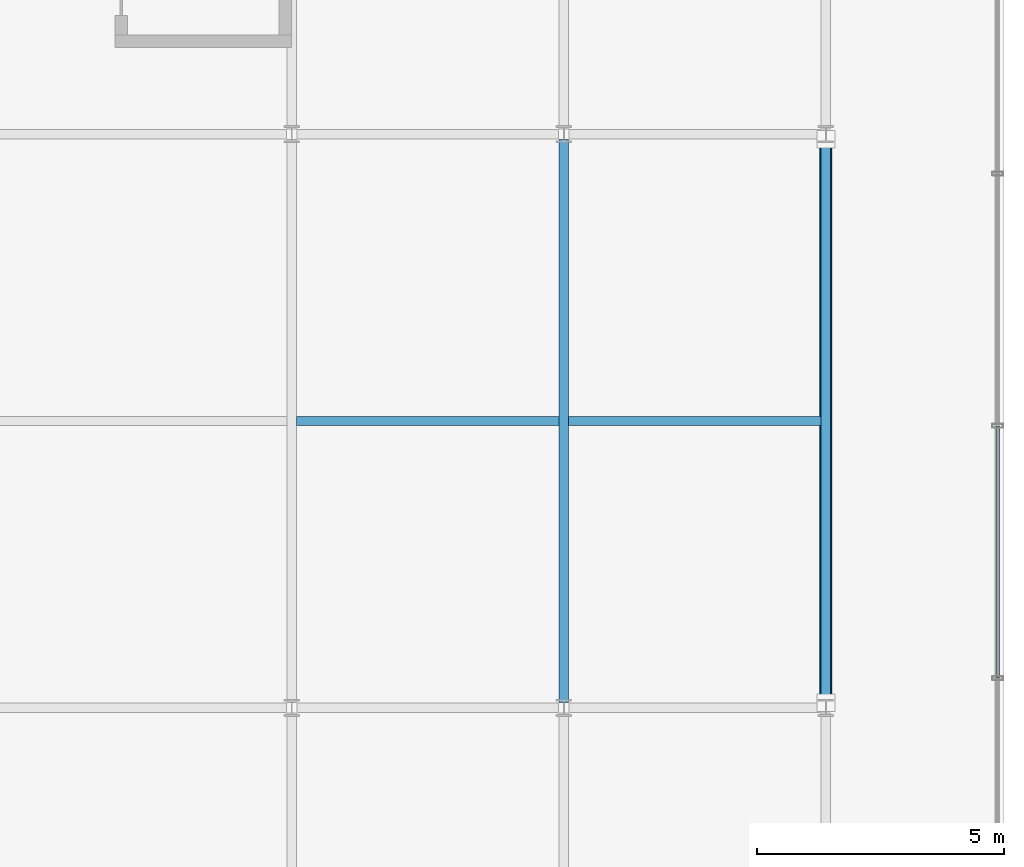
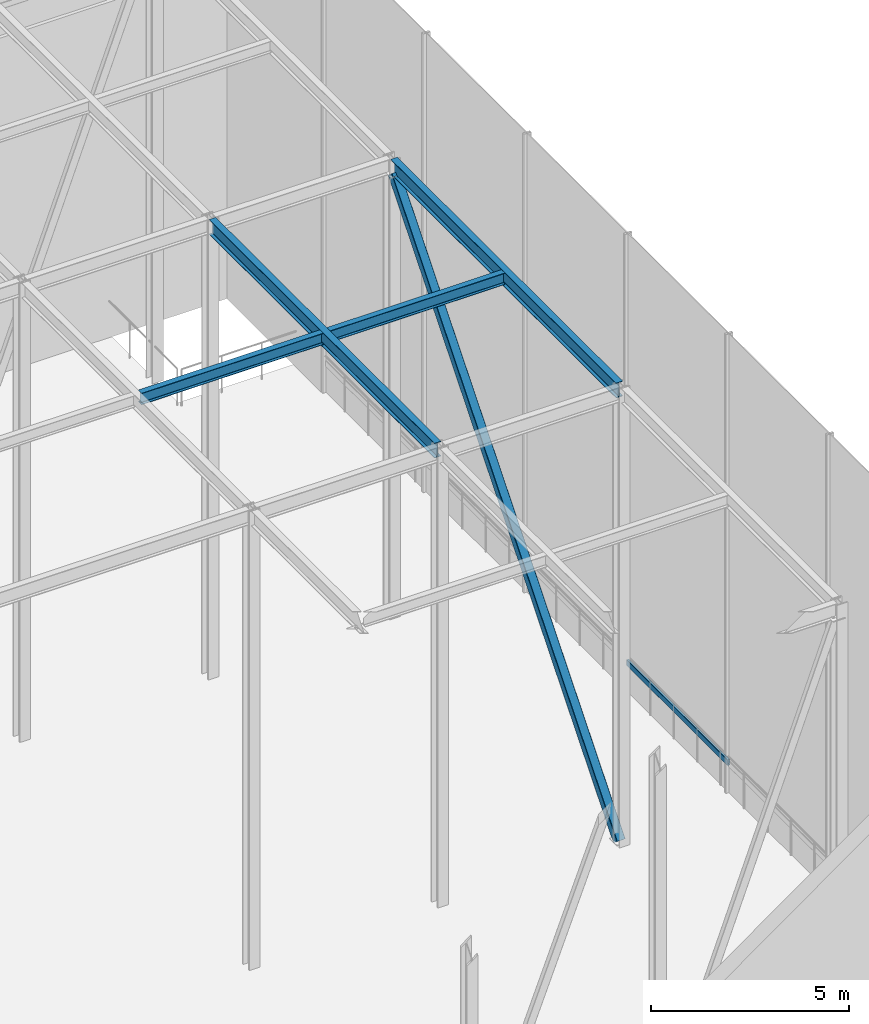
# One storey, part 24 of 42: 4 beams, 2 members, 1 element without a shape of its own.
"""IFC4 building model written with IfcOpenShell, lengths in metres."""

from ifc_helpers import new_model, si_unit, direction, frame, origin, origin_2d, place, context, subcontext, project, spatial, hollow_rectangle, i_section, extrude, material, layer, layer_set, material_profile, profile_set, type_object, element, aggregate, save


model = new_model("IFC4")

# Units and contexts
model_context = context("Model", 3, precision=1e-05, world=origin(), true_north=direction((0.0, 1.0)))
body_context = subcontext(model_context, "Body", "Model", "MODEL_VIEW")
ifc_project = project(units=[si_unit("LENGTHUNIT", "METRE"), si_unit("AREAUNIT", "SQUARE_METRE"), si_unit("VOLUMEUNIT", "CUBIC_METRE"), si_unit("PLANEANGLEUNIT", "RADIAN"), si_unit("MASSUNIT", "GRAM", prefix="KILO")], contexts=[model_context])

# Site, building, storey
site_placement = place(None, origin())
site = spatial("IfcSite", under=ifc_project, at=site_placement, CompositionType="ELEMENT")
building_placement = place(site_placement, origin())
building = spatial("IfcBuilding", under=site, at=building_placement, Name="Korimba Cascade Residences", CompositionType="ELEMENT")
storey_placement = place(building_placement, frame((0.0, 0.0, 207.60009765625)))
storey = spatial("IfcBuildingStorey", under=building, at=storey_placement, Name="L60", CompositionType="ELEMENT", Elevation=207.60009765625)

# Beams
ifc_material_1 = material(Name="Steel S355", Category="steel")
ifc_material_profile_1 = material_profile(ifc_material_1, i_section(OverallWidth=0.172119140625, OverallDepth=0.35791015625, WebThickness=0.008056640625, FlangeThickness=0.012939453125, FilletRadius=0.01025390625, at=origin_2d()), Name="Steel S355")
ifc_profile_set_1 = profile_set([ifc_material_profile_1], Name="Steel S355")
beam_type_1 = type_object("IfcBeamType", Name="BM-STL-UB356", PredefinedType="JOIST", material=ifc_profile_set_1)
beam_1_placement = place(storey_placement, frame((118.199951171875, 12.60009765625, 13.970947265625), z_axis=(1.0, 0.0, 0.0), x_axis=(0.0, 1.0, 0.0)))
element("IfcBeam", 1, at=beam_1_placement, inside=storey, type_object=beam_type_1, Name="L60 Crown Cap Joist E2.2", PredefinedType="JOIST", context=body_context, shape_type="SweptSolid", body=[
    extrude(i_section(OverallWidth=0.172119140625, OverallDepth=0.35791015625, WebThickness=0.008056640625, FlangeThickness=0.012939453125, FilletRadius=0.01025390625, at=origin_2d()), origin(), (0.0, 0.0, 1.0), 5.300048828125),
])
beam_2_placement = place(storey_placement, frame((123.699951171875, 12.60009765625, 13.970947265625), z_axis=(1.0, 0.0, 0.0), x_axis=(0.0, 1.0, 0.0)))
element("IfcBeam", 2, at=beam_2_placement, inside=storey, type_object=beam_type_1, Name="L60 Crown Cap Joist E2.3", PredefinedType="JOIST", context=body_context, shape_type="SweptSolid", body=[
    extrude(i_section(OverallWidth=0.172119140625, OverallDepth=0.35791015625, WebThickness=0.008056640625, FlangeThickness=0.012939453125, FilletRadius=0.01025390625, at=origin_2d()), origin(), (0.0, 0.0, 1.0), 5.10009765625),
])
ifc_material_profile_2 = material_profile(ifc_material_1, i_section(OverallWidth=0.19140625, OverallDepth=0.4599609375, WebThickness=0.010009765625, FlangeThickness=0.01611328125, FilletRadius=0.01025390625, at=origin_2d()), Name="Steel S355")
ifc_profile_set_2 = profile_set([ifc_material_profile_2], Name="Steel S355")
beam_type_2 = type_object("IfcBeamType", Name="BM-STL-UB457", PredefinedType="JOIST", material=ifc_profile_set_2)
for number, where, z_axis, x_axis, name in (
    (3, (123.60009765625, 6.905029296875, 13.919921875), (0.0, 1.0, 0.0), (-1.0, 0.0, 0.0), "L60 Crown Cap Tie Beam E3.2"),
    (4, (128.89990234375, 6.905029296875, 13.919921875), (0.0, 1.0, 0.0), (-1.0, 0.0, 0.0), "L60 Crown Cap Tie Beam E4.2"),
):
    element("IfcBeam", number, at=place(storey_placement, frame(where, z_axis=z_axis, x_axis=x_axis)), inside=storey, type_object=beam_type_2, Name=name, PredefinedType="JOIST", context=body_context, shape_type="SweptSolid", body=[
        extrude(i_section(OverallWidth=0.19140625, OverallDepth=0.4599609375, WebThickness=0.010009765625, FlangeThickness=0.01611328125, FilletRadius=0.01025390625, at=origin_2d()), origin(), (0.0, 0.0, 1.0), 11.389892578125),
    ])

# Curtain wall, member
ifc_material_2 = material(Name="Anodised Aluminium Curtain Wall Framing", Category="aluminium")
ifc_layer = layer(ifc_material_2, 0.179931640625)
ifc_layer_set = layer_set([ifc_layer], Name="Anodised Aluminium Curtain Wall Framing")
curtain_wall_type = type_object("IfcCurtainWallType", Name="CW-CRNE-SYS6", PredefinedType="NOTDEFINED", material=ifc_layer_set)
curtain_wall_placement = place(storey_placement, origin())
curtain_wall = element("IfcCurtainWall", 5, at=curtain_wall_placement, inside=storey, type_object=curtain_wall_type, Name="L60 Curtain Wall CW-L60-CRN-E-1", PredefinedType="NOTDEFINED")
ifc_material_3 = material(Name="Anodised Aluminium Transom", Category="aluminium")
ifc_material_profile_3 = material_profile(ifc_material_3, hollow_rectangle(XDim=0.070068359375, YDim=0.179931640625, WallThickness=0.0048828125, InnerFilletRadius=0.0048828125, OuterFilletRadius=0.010009765625, at=origin_2d()), Name="Anodised Aluminium Transom")
ifc_profile_set_3 = profile_set([ifc_material_profile_3], Name="Anodised Aluminium Transom")
member_type_1 = type_object("IfcMemberType", Name="CWM-TRN-150", PredefinedType="USERDEFINED", material=ifc_profile_set_3)
member_1_placement = place(storey_placement, frame((132.375, 7.39990234375, 0.89990234375), z_axis=(0.0, 1.0, 0.0), x_axis=(-1.0, 0.0, 0.0)))
member_1 = element("IfcMember", 6, at=member_1_placement, type_object=member_type_1, Name="CW-L60-CRN-E-1 Transom 3", ObjectType="TRANSOM", PredefinedType="USERDEFINED", context=body_context, shape_type="SweptSolid", body=[
    extrude(hollow_rectangle(XDim=0.070068359375, YDim=0.179931640625, WallThickness=0.0048828125, InnerFilletRadius=0.0048828125, OuterFilletRadius=0.010009765625, at=origin_2d()), origin(), (0.0, 0.0, 1.0), 5.10009765625),
])
aggregate(curtain_wall, [member_1])

# Member
ifc_material_profile_4 = material_profile(ifc_material_1, hollow_rectangle(XDim=0.25, YDim=0.25, WallThickness=0.010009765625, InnerFilletRadius=0.010009765625, OuterFilletRadius=0.02001953125, at=origin_2d()), Name="Steel S355")
ifc_profile_set_4 = profile_set([ifc_material_profile_4], Name="Steel S355")
member_type_2 = type_object("IfcMemberType", Name="MEM-CRN-SHS250", PredefinedType="STRUT", material=ifc_profile_set_4)
member_2_placement = place(storey_placement, frame((128.89990234375, 6.905029296875, 0.0), z_axis=(0.0, 0.639412961885, 0.768863488646), x_axis=(-1.0, 0.0, 0.0)))
element("IfcMember", 7, at=member_2_placement, inside=storey, type_object=member_type_2, Name="L60 CROWN FRAME Strut E4", PredefinedType="STRUT", context=body_context, shape_type="SweptSolid", body=[
    extrude(hollow_rectangle(XDim=0.25, YDim=0.25, WallThickness=0.010009765625, InnerFilletRadius=0.010009765625, OuterFilletRadius=0.02001953125, at=origin_2d()), origin(), (0.0, 0.0, 1.0), 17.81298828125),
])

save(model, "model.ifc")
